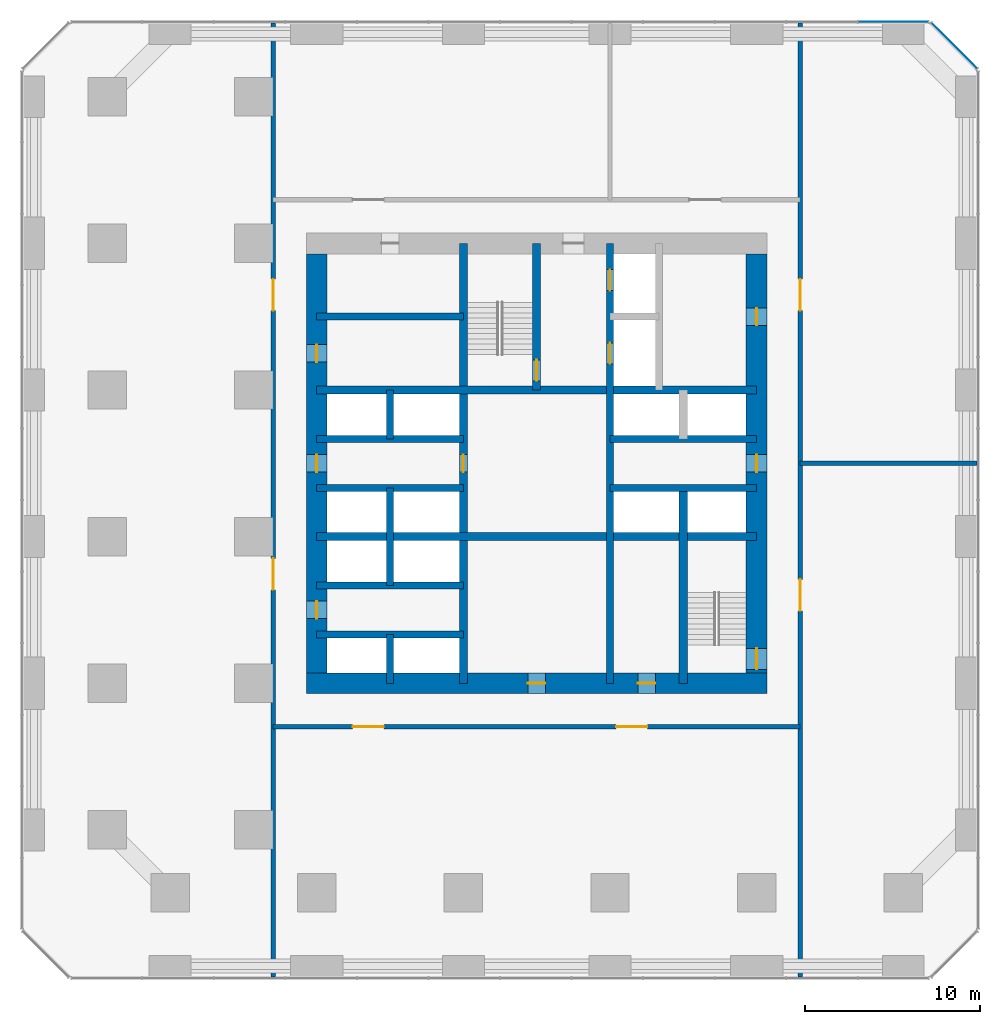
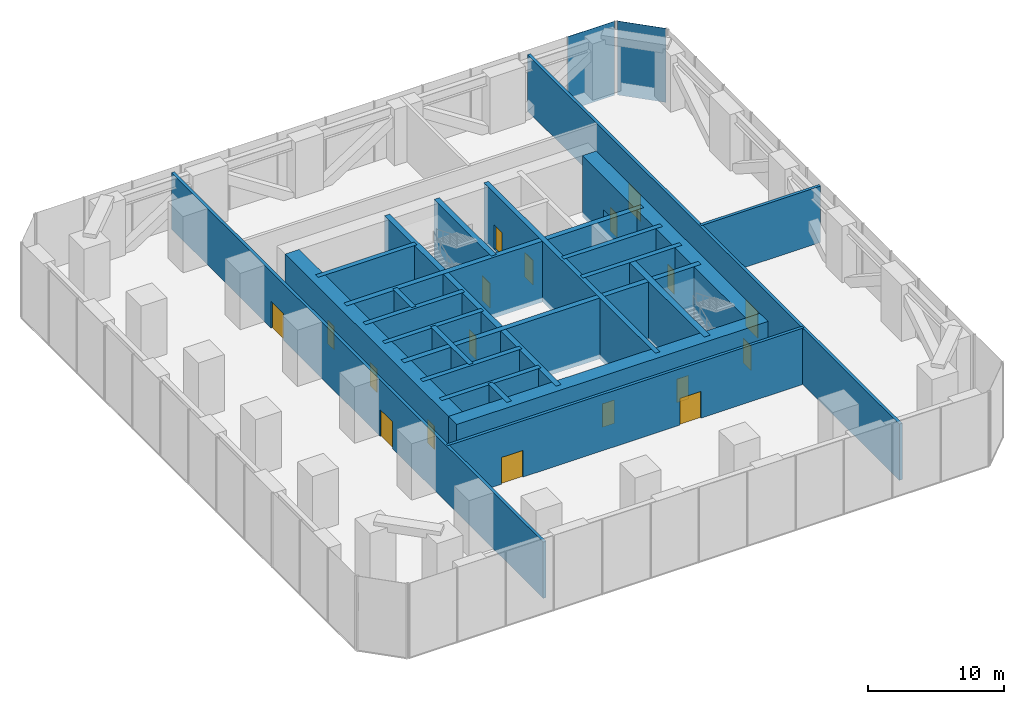
# One storey, part 8 of 10: 23 walls, 18 doors, 2 plates, 18 openings, 2 elements without a shape of their own.
"""IFC4 building model written with IfcOpenShell, lengths in metres."""

from ifc_helpers import new_model, si_unit, direction, frame, frame_2d, origin, origin_2d, place, context, subcontext, project, spatial, rectangle, extrude, material, layer, layer_set, type_object, element, fill, aggregate, save


model = new_model("IFC4")

# Units and contexts
model_context = context("Model", 3, precision=1e-05, world=origin(), true_north=direction((0.0, 1.0)))
body_context = subcontext(model_context, "Body", "Model", "MODEL_VIEW")
ifc_project = project(units=[si_unit("LENGTHUNIT", "METRE"), si_unit("AREAUNIT", "SQUARE_METRE"), si_unit("VOLUMEUNIT", "CUBIC_METRE"), si_unit("PLANEANGLEUNIT", "RADIAN"), si_unit("MASSUNIT", "GRAM", prefix="KILO")], contexts=[model_context])

# Site, building, storey
site_placement = place(None, origin())
site = spatial("IfcSite", under=ifc_project, at=site_placement, CompositionType="ELEMENT")
building_placement = place(site_placement, origin())
building = spatial("IfcBuilding", under=site, at=building_placement, Name="Dunama Terrace Hotel", CompositionType="ELEMENT")
storey_placement = place(building_placement, frame((0.0, 0.0, 153.60009765625)))
storey = spatial("IfcBuildingStorey", under=building, at=storey_placement, Name="L39", CompositionType="ELEMENT", Elevation=153.60009765625)

# Curtain wall, plate
ifc_material_1 = material(Name="Aluminium curtain wall system", Category="aluminium")
curtain_wall_type = type_object("IfcCurtainWallType", Name="Plant floor louvred glazing CW-G", PredefinedType="NOTDEFINED", material=ifc_material_1)
curtain_wall_1_placement = place(storey_placement, origin())
curtain_wall_1 = element("IfcCurtainWall", 1, at=curtain_wall_1_placement, inside=storey, type_object=curtain_wall_type, Name="Plant floor louvred glazing CW-G L39", PredefinedType="NOTDEFINED")
ifc_material_2 = material(Name="Aluminium louvre blades", Category="aluminium")
ifc_layer_1 = layer(ifc_material_2, 0.02392578125)
ifc_layer_set_1 = layer_set([ifc_layer_1], Name="CWG louvre panel")
plate_type = type_object("IfcPlateType", Name="CWG louvre panel", PredefinedType="CURTAIN_PANEL", material=ifc_layer_set_1)
plate_1_placement = place(storey_placement, frame((53.321044921875, 53.321044921875, -1.236328125), z_axis=(0.0, 0.0, 1.0), x_axis=(-0.707106781187, 0.707106781187, 0.0)))
plate_1 = element("IfcPlate", 2, at=plate_1_placement, type_object=plate_type, Name="CWG louvre panel", PredefinedType="CURTAIN_PANEL", context=body_context, shape_type="SweptSolid", body=[
    extrude(rectangle(XDim=3.66845703125, YDim=0.02392578125, at=origin_2d()), origin(), (0.0, 0.0, 1.0), 6.635986328125),
])
aggregate(curtain_wall_1, [plate_1])

curtain_wall_2_placement = place(storey_placement, origin())
curtain_wall_2 = element("IfcCurtainWall", 3, at=curtain_wall_2_placement, inside=storey, type_object=curtain_wall_type, Name="Plant floor louvred glazing CW-G L39", PredefinedType="NOTDEFINED")
plate_2_placement = place(storey_placement, frame((49.8310546875, 54.699951171875, -1.236328125), z_axis=(0.0, 0.0, 1.0), x_axis=(-1.0, 0.0, 0.0)))
plate_2 = element("IfcPlate", 4, at=plate_2_placement, type_object=plate_type, Name="CWG louvre panel", PredefinedType="CURTAIN_PANEL", context=body_context, shape_type="SweptSolid", body=[
    extrude(rectangle(XDim=3.987548828125, YDim=0.02392578125, at=origin_2d()), origin(), (0.0, 0.0, 1.0), 6.635986328125),
])
aggregate(curtain_wall_2, [plate_2])

# Walls
ifc_material_3 = material(Name="Concrete C50/60", Category="concrete")
ifc_layer_2 = layer(ifc_material_3, 0.39990234375)
ifc_layer_set_2 = layer_set([ifc_layer_2], Name="Core inner wall 400")
wall_type_1 = type_object("IfcWallType", Name="Core inner wall 400", PredefinedType="SHEAR", material=ifc_layer_set_2)
wall_1_placement = place(storey_placement, frame((21.0, 16.800048828125, -0.400146484375), z_axis=(0.0, 0.0, 1.0), x_axis=(0.0, 1.0, 0.0)))
element("IfcWall", 5, at=wall_1_placement, inside=storey, type_object=wall_type_1, Name="Core inner wall 400 L39", PredefinedType="SHEAR", context=body_context, shape_type="SweptSolid", body=[
    extrude(rectangle(XDim=2.800048828125, YDim=0.39990234375, at=frame_2d((1.39990234375, 0.0))), origin(), (0.0, 0.0, 1.0), 5.449951171875),
])
wall_2_placement = place(storey_placement, frame((21.0, 22.39990234375, -0.400146484375), z_axis=(0.0, 0.0, 1.0), x_axis=(0.0, 1.0, 0.0)))
element("IfcWall", 6, at=wall_2_placement, inside=storey, type_object=wall_type_1, Name="Core inner wall 400 L39", PredefinedType="SHEAR", context=body_context, shape_type="SweptSolid", body=[
    extrude(rectangle(XDim=5.60009765625, YDim=0.39990234375, at=frame_2d((2.800048828125, 0.0))), origin(), (0.0, 0.0, 1.0), 5.449951171875),
])
wall_3_placement = place(storey_placement, frame((21.0, 30.800048828125, -0.400146484375), z_axis=(0.0, 0.0, 1.0), x_axis=(0.0, 1.0, 0.0)))
element("IfcWall", 7, at=wall_3_placement, inside=storey, type_object=wall_type_1, Name="Core inner wall 400 L39", PredefinedType="SHEAR", context=body_context, shape_type="SweptSolid", body=[
    extrude(rectangle(XDim=2.800048828125, YDim=0.39990234375, at=frame_2d((1.39990234375, 0.0))), origin(), (0.0, 0.0, 1.0), 5.449951171875),
])

# Wall, openings, doors
wall_4_placement = place(storey_placement, frame((33.60009765625, 16.800048828125, -0.400146484375), z_axis=(0.0, 0.0, 1.0), x_axis=(0.0, 1.0, 0.0)))
wall_4 = element("IfcWall", 8, at=wall_4_placement, inside=storey, type_object=wall_type_1, Name="Core inner wall 400 L39", PredefinedType="SHEAR", context=body_context, shape_type="SweptSolid", body=[
    extrude(rectangle(XDim=25.199951171875, YDim=0.39990234375, at=frame_2d((12.60009765625, 0.0))), origin(), (0.0, 0.0, 1.0), 5.449951171875),
])
opening_1_placement = place(wall_4_placement, frame((22.5, 0.0, 0.39990234375)))
opening_1 = element("IfcOpeningElement", 9, at=opening_1_placement, cuts=wall_4, Name="Opening L39-003", PredefinedType="OPENING", context=body_context, shape_type="SweptSolid", body=[
    extrude(rectangle(XDim=1.199951171875, YDim=2.199951171875, at=frame_2d((0.60009765625, 1.10009765625))), frame((0.0, 0.2099609375, 0.0), z_axis=(0.0, -1.0, 0.0), x_axis=(1.0, 0.0, 0.0)), (0.0, 0.0, 1.0), 0.419921875),
])
opening_2_placement = place(wall_4_placement, frame((18.300048828125, 0.0, 0.39990234375)))
opening_2 = element("IfcOpeningElement", 10, at=opening_2_placement, cuts=wall_4, Name="Opening L39-004", PredefinedType="OPENING", context=body_context, shape_type="SweptSolid", body=[
    extrude(rectangle(XDim=1.199951171875, YDim=2.199951171875, at=frame_2d((0.60009765625, 1.10009765625))), frame((0.0, 0.2099609375, 0.0), z_axis=(0.0, -1.0, 0.0), x_axis=(1.0, 0.0, 0.0)), (0.0, 0.0, 1.0), 0.419921875),
])
ifc_material_4 = material(Name="Stainless steel lift door", Category="steel")
door_type_1 = type_object("IfcDoorType", Name="Firefighting lift landing door 1200", OperationType="DOUBLE_DOOR_SLIDING", PredefinedType="DOOR", material=ifc_material_4)
door_1_placement = place(opening_1_placement, origin())
door_1 = element("IfcDoor", 11, at=door_1_placement, inside=storey, type_object=door_type_1, Name="Landing door FL1 L39-003, type LD2", OperationType="DOUBLE_DOOR_SLIDING", OverallHeight=2.199951171875, OverallWidth=1.199951171875, PredefinedType="DOOR", context=body_context, shape_type="SweptSolid", body=[
    extrude(rectangle(XDim=1.199951171875, YDim=2.199951171875, at=frame_2d((0.60009765625, 1.10009765625))), frame((0.0, 0.02490234375, 0.0), z_axis=(0.0, -1.0, 0.0), x_axis=(1.0, 0.0, 0.0)), (0.0, 0.0, 1.0), 0.050048828125),
])
fill(opening_1, door_1)
door_2_placement = place(opening_2_placement, origin())
door_2 = element("IfcDoor", 12, at=door_2_placement, inside=storey, type_object=door_type_1, Name="Landing door FL2 L39-004, type LD2", OperationType="DOUBLE_DOOR_SLIDING", OverallHeight=2.199951171875, OverallWidth=1.199951171875, PredefinedType="DOOR", context=body_context, shape_type="SweptSolid", body=[
    extrude(rectangle(XDim=1.199951171875, YDim=2.199951171875, at=frame_2d((0.60009765625, 1.10009765625))), frame((0.0, 0.02490234375, 0.0), z_axis=(0.0, -1.0, 0.0), x_axis=(1.0, 0.0, 0.0)), (0.0, 0.0, 1.0), 0.050048828125),
])
fill(opening_2, door_2)

# Walls
for number, where, z_axis, x_axis, name in (
    (13, (16.800048828125, 19.60009765625, -0.400146484375), (0.0, 0.0, 1.0), (1.0, 0.0, 0.0), "Core inner wall 400 L39"),
    (14, (16.800048828125, 22.39990234375, -0.400146484375), (0.0, 0.0, 1.0), (1.0, 0.0, 0.0), "Core inner wall 400 L39"),
    (15, (16.800048828125, 28.0, -0.400146484375), (0.0, 0.0, 1.0), (1.0, 0.0, 0.0), "Core inner wall 400 L39"),
    (16, (33.60009765625, 28.0, -0.400146484375), (0.0, 0.0, 1.0), (1.0, 0.0, 0.0), "Core inner wall 400 L39"),
    (17, (16.800048828125, 30.800048828125, -0.400146484375), (0.0, 0.0, 1.0), (1.0, 0.0, 0.0), "Core inner wall 400 L39"),
    (18, (33.60009765625, 30.800048828125, -0.400146484375), (0.0, 0.0, 1.0), (1.0, 0.0, 0.0), "Core inner wall 400 L39"),
    (19, (16.800048828125, 37.800048828125, -0.400146484375), (0.0, 0.0, 1.0), (1.0, 0.0, 0.0), "Core inner wall 400 L39"),
):
    element("IfcWall", number, at=place(storey_placement, frame(where, z_axis=z_axis, x_axis=x_axis)), inside=storey, type_object=wall_type_1, Name=name, PredefinedType="SHEAR", context=body_context, shape_type="SweptSolid", body=[
        extrude(rectangle(XDim=8.39990234375, YDim=0.39990234375, at=frame_2d((4.199951171875, 0.0))), origin(), (0.0, 0.0, 1.0), 5.449951171875),
    ])

# Wall, opening, door
ifc_material_5 = material(Name="Concrete C50/60", Category="concrete")
ifc_layer_3 = layer(ifc_material_5, 0.449951171875)
ifc_layer_set_3 = layer_set([ifc_layer_3], Name="Core inner wall 450")
wall_type_2 = type_object("IfcWallType", Name="Core inner wall 450", PredefinedType="SHEAR", material=ifc_layer_set_3)
wall_5_placement = place(storey_placement, frame((25.199951171875, 16.800048828125, -0.400146484375), z_axis=(0.0, 0.0, 1.0), x_axis=(0.0, 1.0, 0.0)))
wall_5 = element("IfcWall", 20, at=wall_5_placement, inside=storey, type_object=wall_type_2, Name="Core inner wall 450 L39", PredefinedType="SHEAR", context=body_context, shape_type="SweptSolid", body=[
    extrude(rectangle(XDim=25.199951171875, YDim=0.449951171875, at=frame_2d((12.60009765625, 0.0))), origin(), (0.0, 0.0, 1.0), 5.449951171875),
])
opening_3_placement = place(wall_5_placement, frame((12.10009765625, 0.0, 0.39990234375)))
opening_3 = element("IfcOpeningElement", 21, at=opening_3_placement, cuts=wall_5, Name="Opening L39-017", PredefinedType="OPENING", context=body_context, shape_type="SweptSolid", body=[
    extrude(rectangle(XDim=1.0, YDim=2.10009765625, at=frame_2d((0.5, 1.050048828125))), frame((0.0, 0.23486328125, 0.0), z_axis=(0.0, -1.0, 0.0), x_axis=(1.0, 0.0, 0.0)), (0.0, 0.0, 1.0), 0.469970703125),
])
ifc_material_6 = material(Name="Timber door with steel frame", Category="steel")
door_type_2 = type_object("IfcDoorType", Name="Service door 1000", OperationType="SINGLE_SWING_LEFT", PredefinedType="DOOR", material=ifc_material_6)
door_3_placement = place(opening_3_placement, frame((1.0, 0.0, 0.0), z_axis=(0.0, 0.0, 1.0), x_axis=(-1.0, 0.0, 0.0)))
door_3 = element("IfcDoor", 22, at=door_3_placement, inside=storey, type_object=door_type_2, Name="Door to electrical spares store L39-017, type D7", OperationType="SINGLE_SWING_RIGHT", OverallHeight=2.10009765625, OverallWidth=1.0, PredefinedType="DOOR", context=body_context, shape_type="SweptSolid", body=[
    extrude(rectangle(XDim=1.0, YDim=2.10009765625, at=frame_2d((0.5, 1.050048828125))), frame((0.0, 0.025146484375, 0.0), z_axis=(0.0, -1.0, 0.0), x_axis=(1.0, 0.0, 0.0)), (0.0, 0.0, 1.0), 0.050048828125),
])
fill(opening_3, door_3)

wall_6_placement = place(storey_placement, frame((29.39990234375, 33.60009765625, -0.400146484375), z_axis=(0.0, 0.0, 1.0), x_axis=(0.0, 1.0, 0.0)))
wall_6 = element("IfcWall", 23, at=wall_6_placement, inside=storey, type_object=wall_type_2, Name="Core inner wall 450 L39", PredefinedType="SHEAR", context=body_context, shape_type="SweptSolid", body=[
    extrude(rectangle(XDim=8.39990234375, YDim=0.449951171875, at=frame_2d((4.199951171875, 0.0))), origin(), (0.0, 0.0, 1.0), 5.449951171875),
])
opening_4_placement = place(wall_6_placement, frame((0.52490234375, 0.0, 0.39990234375)))
opening_4 = element("IfcOpeningElement", 24, at=opening_4_placement, cuts=wall_6, Name="Opening L39-001", PredefinedType="OPENING", context=body_context, shape_type="SweptSolid", body=[
    extrude(rectangle(XDim=1.199951171875, YDim=2.199951171875, at=frame_2d((0.60009765625, 1.10009765625))), frame((0.0, 0.23486328125, 0.0), z_axis=(0.0, -1.0, 0.0), x_axis=(1.0, 0.0, 0.0)), (0.0, 0.0, 1.0), 0.469970703125),
])
ifc_material_7 = material(Name="Timber door with steel frame", Category="steel")
door_type_3 = type_object("IfcDoorType", Name="Stair door 1200", OperationType="SINGLE_SWING_LEFT", PredefinedType="DOOR", material=ifc_material_7)
door_4_placement = place(opening_4_placement, origin())
door_4 = element("IfcDoor", 25, at=door_4_placement, inside=storey, type_object=door_type_3, Name="Stair door ST1 L39-001, type D5", OperationType="SINGLE_SWING_LEFT", OverallHeight=2.199951171875, OverallWidth=1.199951171875, PredefinedType="DOOR", context=body_context, shape_type="SweptSolid", body=[
    extrude(rectangle(XDim=1.199951171875, YDim=2.199951171875, at=frame_2d((0.60009765625, 1.10009765625))), frame((0.0, 0.02490234375, 0.0), z_axis=(0.0, -1.0, 0.0), x_axis=(1.0, 0.0, 0.0)), (0.0, 0.0, 1.0), 0.050048828125),
])
fill(opening_4, door_4)

# Walls
for number, where, z_axis, x_axis, name in (
    (26, (16.800048828125, 25.199951171875, -0.400146484375), (0.0, 0.0, 1.0), (1.0, 0.0, 0.0), "Core inner wall 450 L39"),
    (27, (16.800048828125, 33.60009765625, -0.400146484375), (0.0, 0.0, 1.0), (1.0, 0.0, 0.0), "Core inner wall 450 L39"),
):
    element("IfcWall", number, at=place(storey_placement, frame(where, z_axis=z_axis, x_axis=x_axis)), inside=storey, type_object=wall_type_2, Name=name, PredefinedType="SHEAR", context=body_context, shape_type="SweptSolid", body=[
        extrude(rectangle(XDim=25.199951171875, YDim=0.449951171875, at=frame_2d((12.60009765625, 0.0))), origin(), (0.0, 0.0, 1.0), 5.449951171875),
    ])
ifc_material_8 = material(Name="Concrete C50/60", Category="concrete")
ifc_layer_4 = layer(ifc_material_8, 0.5)
ifc_layer_set_4 = layer_set([ifc_layer_4], Name="Core inner wall 500")
wall_type_3 = type_object("IfcWallType", Name="Core inner wall 500", PredefinedType="SHEAR", material=ifc_layer_set_4)
wall_7_placement = place(storey_placement, frame((37.800048828125, 16.800048828125, -0.400146484375), z_axis=(0.0, 0.0, 1.0), x_axis=(0.0, 1.0, 0.0)))
element("IfcWall", 28, at=wall_7_placement, inside=storey, type_object=wall_type_3, Name="Core inner wall 500 L39", PredefinedType="SHEAR", context=body_context, shape_type="SweptSolid", body=[
    extrude(rectangle(XDim=11.199951171875, YDim=0.5, at=frame_2d((5.60009765625, 0.0))), origin(), (0.0, 0.0, 1.0), 5.449951171875),
])

# Wall, openings, doors
ifc_material_9 = material(Name="Concrete C60/75", Category="concrete")
ifc_layer_5 = layer(ifc_material_9, 1.199951171875)
ifc_layer_set_5 = layer_set([ifc_layer_5], Name="Core wall 1200")
wall_type_4 = type_object("IfcWallType", Name="Core wall 1200", PredefinedType="SHEAR", material=ifc_layer_set_5)
wall_8_placement = place(storey_placement, frame((16.199951171875, 16.800048828125, -0.400146484375), z_axis=(0.0, 0.0, 1.0), x_axis=(1.0, 0.0, 0.0)))
wall_8 = element("IfcWall", 29, at=wall_8_placement, inside=storey, type_object=wall_type_4, Name="Core wall south L39", PredefinedType="SHEAR", context=body_context, shape_type="SweptSolid", body=[
    extrude(rectangle(XDim=26.400146484375, YDim=1.199951171875, at=frame_2d((13.2001953125, 0.0))), origin(), (0.0, 0.0, 1.0), 5.449951171875),
])
opening_5_placement = place(wall_8_placement, frame((12.699951171875, 0.0, 0.39990234375)))
opening_5 = element("IfcOpeningElement", 30, at=opening_5_placement, cuts=wall_8, Name="Opening L39-021", PredefinedType="OPENING", context=body_context, shape_type="SweptSolid", body=[
    extrude(rectangle(XDim=1.0, YDim=2.10009765625, at=frame_2d((0.5, 1.050048828125))), frame((0.0, 0.60986328125, 0.0), z_axis=(0.0, -1.0, 0.0), x_axis=(1.0, 0.0, 0.0)), (0.0, 0.0, 1.0), 1.219970703125),
])
opening_6_placement = place(wall_8_placement, frame((19.0, 0.0, 0.39990234375)))
opening_6 = element("IfcOpeningElement", 31, at=opening_6_placement, cuts=wall_8, Name="Opening L39-022", PredefinedType="OPENING", context=body_context, shape_type="SweptSolid", body=[
    extrude(rectangle(XDim=1.0, YDim=2.10009765625, at=frame_2d((0.5, 1.050048828125))), frame((0.0, 0.60986328125, 0.0), z_axis=(0.0, -1.0, 0.0), x_axis=(1.0, 0.0, 0.0)), (0.0, 0.0, 1.0), 1.219970703125),
])
door_5_placement = place(opening_5_placement, origin())
door_5 = element("IfcDoor", 32, at=door_5_placement, inside=storey, type_object=door_type_2, Name="Door to corridor air handling plant room L39-021, type D7", OperationType="SINGLE_SWING_LEFT", OverallHeight=2.10009765625, OverallWidth=1.0, PredefinedType="DOOR", context=body_context, shape_type="SweptSolid", body=[
    extrude(rectangle(XDim=1.0, YDim=2.10009765625, at=frame_2d((0.5, 1.050048828125))), frame((0.0, 0.02490234375, 0.0), z_axis=(0.0, -1.0, 0.0), x_axis=(1.0, 0.0, 0.0)), (0.0, 0.0, 1.0), 0.050048828125),
])
fill(opening_5, door_5)
door_6_placement = place(opening_6_placement, origin())
door_6 = element("IfcDoor", 33, at=door_6_placement, inside=storey, type_object=door_type_2, Name="Door to water booster plant room L39-022, type D7", OperationType="SINGLE_SWING_RIGHT", OverallHeight=2.10009765625, OverallWidth=1.0, PredefinedType="DOOR", context=body_context, shape_type="SweptSolid", body=[
    extrude(rectangle(XDim=1.0, YDim=2.10009765625, at=frame_2d((0.5, 1.050048828125))), frame((0.0, 0.02490234375, 0.0), z_axis=(0.0, -1.0, 0.0), x_axis=(1.0, 0.0, 0.0)), (0.0, 0.0, 1.0), 0.050048828125),
])
fill(opening_6, door_6)

wall_9_placement = place(storey_placement, frame((42.0, 17.39990234375, -0.400146484375), z_axis=(0.0, 0.0, 1.0), x_axis=(0.0, 1.0, 0.0)))
wall_9 = element("IfcWall", 34, at=wall_9_placement, inside=storey, type_object=wall_type_4, Name="Core wall east L39", PredefinedType="SHEAR", context=body_context, shape_type="SweptSolid", body=[
    extrude(rectangle(XDim=24.0, YDim=1.199951171875, at=frame_2d((12.0, 0.0))), origin(), (0.0, 0.0, 1.0), 5.449951171875),
])
opening_7_placement = place(wall_9_placement, frame((0.199951171875, 0.0, 0.39990234375)))
opening_7 = element("IfcOpeningElement", 35, at=opening_7_placement, cuts=wall_9, Name="Opening L39-002", PredefinedType="OPENING", context=body_context, shape_type="SweptSolid", body=[
    extrude(rectangle(XDim=1.199951171875, YDim=2.199951171875, at=frame_2d((0.60009765625, 1.10009765625))), frame((0.0, 0.60986328125, 0.0), z_axis=(0.0, -1.0, 0.0), x_axis=(1.0, 0.0, 0.0)), (0.0, 0.0, 1.0), 1.219970703125),
])
opening_8_placement = place(wall_9_placement, frame((11.5, 0.0, 0.39990234375)))
opening_8 = element("IfcOpeningElement", 36, at=opening_8_placement, cuts=wall_9, Name="Opening L39-018", PredefinedType="OPENING", context=body_context, shape_type="SweptSolid", body=[
    extrude(rectangle(XDim=1.0, YDim=2.10009765625, at=frame_2d((0.5, 1.050048828125))), frame((0.0, 0.60986328125, 0.0), z_axis=(0.0, -1.0, 0.0), x_axis=(1.0, 0.0, 0.0)), (0.0, 0.0, 1.0), 1.219970703125),
])
opening_9_placement = place(wall_9_placement, frame((19.89990234375, 0.0, 0.39990234375)))
opening_9 = element("IfcOpeningElement", 37, at=opening_9_placement, cuts=wall_9, Name="Opening L39-020", PredefinedType="OPENING", context=body_context, shape_type="SweptSolid", body=[
    extrude(rectangle(XDim=1.0, YDim=2.10009765625, at=frame_2d((0.5, 1.050048828125))), frame((0.0, 0.60986328125, 0.0), z_axis=(0.0, -1.0, 0.0), x_axis=(1.0, 0.0, 0.0)), (0.0, 0.0, 1.0), 1.219970703125),
])
door_7_placement = place(opening_8_placement, origin())
door_7 = element("IfcDoor", 38, at=door_7_placement, inside=storey, type_object=door_type_2, Name="Door to service lobby L39-018, type D7", OperationType="SINGLE_SWING_LEFT", OverallHeight=2.10009765625, OverallWidth=1.0, PredefinedType="DOOR", context=body_context, shape_type="SweptSolid", body=[
    extrude(rectangle(XDim=1.0, YDim=2.10009765625, at=frame_2d((0.5, 1.050048828125))), frame((0.0, 0.02490234375, 0.0), z_axis=(0.0, -1.0, 0.0), x_axis=(1.0, 0.0, 0.0)), (0.0, 0.0, 1.0), 0.050048828125),
])
fill(opening_8, door_7)
door_8_placement = place(opening_9_placement, origin())
door_8 = element("IfcDoor", 39, at=door_8_placement, inside=storey, type_object=door_type_2, Name="Door to plant spares store L39-020, type D7", OperationType="SINGLE_SWING_LEFT", OverallHeight=2.10009765625, OverallWidth=1.0, PredefinedType="DOOR", context=body_context, shape_type="SweptSolid", body=[
    extrude(rectangle(XDim=1.0, YDim=2.10009765625, at=frame_2d((0.5, 1.050048828125))), frame((0.0, 0.02490234375, 0.0), z_axis=(0.0, -1.0, 0.0), x_axis=(1.0, 0.0, 0.0)), (0.0, 0.0, 1.0), 0.050048828125),
])
fill(opening_9, door_8)
door_9_placement = place(opening_7_placement, origin())
door_9 = element("IfcDoor", 40, at=door_9_placement, inside=storey, type_object=door_type_3, Name="Stair door ST2 L39-002, type D5", OperationType="SINGLE_SWING_LEFT", OverallHeight=2.199951171875, OverallWidth=1.199951171875, PredefinedType="DOOR", context=body_context, shape_type="SweptSolid", body=[
    extrude(rectangle(XDim=1.199951171875, YDim=2.199951171875, at=frame_2d((0.60009765625, 1.10009765625))), frame((0.0, 0.02490234375, 0.0), z_axis=(0.0, -1.0, 0.0), x_axis=(1.0, 0.0, 0.0)), (0.0, 0.0, 1.0), 0.050048828125),
])
fill(opening_7, door_9)

wall_10_placement = place(storey_placement, frame((16.800048828125, 41.39990234375, -0.400146484375), z_axis=(0.0, 0.0, 1.0), x_axis=(0.0, -1.0, 0.0)))
wall_10 = element("IfcWall", 41, at=wall_10_placement, inside=storey, type_object=wall_type_4, Name="Core wall west L39", PredefinedType="SHEAR", context=body_context, shape_type="SweptSolid", body=[
    extrude(rectangle(XDim=24.0, YDim=1.199951171875, at=frame_2d((12.0, 0.0))), origin(), (0.0, 0.0, 1.0), 5.449951171875),
])
opening_10_placement = place(wall_10_placement, frame((11.5, 0.0, 0.39990234375)))
opening_10 = element("IfcOpeningElement", 42, at=opening_10_placement, cuts=wall_10, Name="Opening L39-013", PredefinedType="OPENING", context=body_context, shape_type="SweptSolid", body=[
    extrude(rectangle(XDim=1.0, YDim=2.10009765625, at=frame_2d((0.5, 1.050048828125))), frame((0.0, 0.60986328125, 0.0), z_axis=(0.0, -1.0, 0.0), x_axis=(1.0, 0.0, 0.0)), (0.0, 0.0, 1.0), 1.219970703125),
])
opening_11_placement = place(wall_10_placement, frame((19.89990234375, 0.0, 0.39990234375)))
opening_11 = element("IfcOpeningElement", 43, at=opening_11_placement, cuts=wall_10, Name="Opening L39-014", PredefinedType="OPENING", context=body_context, shape_type="SweptSolid", body=[
    extrude(rectangle(XDim=1.0, YDim=2.10009765625, at=frame_2d((0.5, 1.050048828125))), frame((0.0, 0.60986328125, 0.0), z_axis=(0.0, -1.0, 0.0), x_axis=(1.0, 0.0, 0.0)), (0.0, 0.0, 1.0), 1.219970703125),
])
opening_12_placement = place(wall_10_placement, frame((5.199951171875, 0.0, 0.39990234375)))
opening_12 = element("IfcOpeningElement", 44, at=opening_12_placement, cuts=wall_10, Name="Opening L39-015", PredefinedType="OPENING", context=body_context, shape_type="SweptSolid", body=[
    extrude(rectangle(XDim=1.0, YDim=2.10009765625, at=frame_2d((0.5, 1.050048828125))), frame((0.0, 0.60986328125, 0.0), z_axis=(0.0, -1.0, 0.0), x_axis=(1.0, 0.0, 0.0)), (0.0, 0.0, 1.0), 1.219970703125),
])
door_10_placement = place(opening_10_placement, origin())
door_10 = element("IfcDoor", 45, at=door_10_placement, inside=storey, type_object=door_type_2, Name="Door to service lobby L39-013, type D7", OperationType="SINGLE_SWING_RIGHT", OverallHeight=2.10009765625, OverallWidth=1.0, PredefinedType="DOOR", context=body_context, shape_type="SweptSolid", body=[
    extrude(rectangle(XDim=1.0, YDim=2.10009765625, at=frame_2d((0.5, 1.050048828125))), frame((0.0, 0.02490234375, 0.0), z_axis=(0.0, -1.0, 0.0), x_axis=(1.0, 0.0, 0.0)), (0.0, 0.0, 1.0), 0.050048828125),
])
fill(opening_10, door_10)
door_11_placement = place(opening_11_placement, origin())
door_11 = element("IfcDoor", 46, at=door_11_placement, inside=storey, type_object=door_type_2, Name="Door to service lobby L39-014, type D7", OperationType="SINGLE_SWING_LEFT", OverallHeight=2.10009765625, OverallWidth=1.0, PredefinedType="DOOR", context=body_context, shape_type="SweptSolid", body=[
    extrude(rectangle(XDim=1.0, YDim=2.10009765625, at=frame_2d((0.5, 1.050048828125))), frame((0.0, 0.02490234375, 0.0), z_axis=(0.0, -1.0, 0.0), x_axis=(1.0, 0.0, 0.0)), (0.0, 0.0, 1.0), 0.050048828125),
])
fill(opening_11, door_11)
door_12_placement = place(opening_12_placement, origin())
door_12 = element("IfcDoor", 47, at=door_12_placement, inside=storey, type_object=door_type_2, Name="Door to electrical plant room L39-015, type D7", OperationType="SINGLE_SWING_RIGHT", OverallHeight=2.10009765625, OverallWidth=1.0, PredefinedType="DOOR", context=body_context, shape_type="SweptSolid", body=[
    extrude(rectangle(XDim=1.0, YDim=2.10009765625, at=frame_2d((0.5, 1.050048828125))), frame((0.0, 0.02490234375, 0.0), z_axis=(0.0, -1.0, 0.0), x_axis=(1.0, 0.0, 0.0)), (0.0, 0.0, 1.0), 0.050048828125),
])
fill(opening_12, door_12)

ifc_material_10 = material(Name="Concrete blockwork", Category="masonry")
ifc_layer_6 = layer(ifc_material_10, 0.25)
ifc_layer_set_6 = layer_set([ifc_layer_6], Name="Plant room wall 250")
wall_type_5 = type_object("IfcWallType", Name="Plant room wall 250", PredefinedType="PARTITIONING", material=ifc_layer_set_6)
wall_11_placement = place(storey_placement, frame((14.300048828125, -0.01806640625, 0.0), z_axis=(0.0, 0.0, 1.0), x_axis=(0.0, 1.0, 0.0)))
wall_11 = element("IfcWall", 48, at=wall_11_placement, inside=storey, type_object=wall_type_5, Name="Plant room wall 250 L39", PredefinedType="PARTITIONING", context=body_context, shape_type="SweptSolid", body=[
    extrude(rectangle(XDim=54.635986328125, YDim=0.25, at=frame_2d((27.31787109375, 0.0))), origin(), (0.0, 0.0, 1.0), 5.0498046875),
])
opening_13_placement = place(wall_11_placement, frame((22.16796875, 0.0, 0.0)))
opening_13 = element("IfcOpeningElement", 49, at=opening_13_placement, cuts=wall_11, Name="Opening L39-005", PredefinedType="OPENING", context=body_context, shape_type="SweptSolid", body=[
    extrude(rectangle(XDim=1.800048828125, YDim=2.39990234375, at=frame_2d((0.89990234375, 1.199951171875))), frame((0.0, 0.135009765625, 0.0), z_axis=(0.0, -1.0, 0.0), x_axis=(1.0, 0.0, 0.0)), (0.0, 0.0, 1.0), 0.27001953125),
])
opening_14_placement = place(wall_11_placement, frame((38.16796875, 0.0, 0.0)))
opening_14 = element("IfcOpeningElement", 50, at=opening_14_placement, cuts=wall_11, Name="Opening L39-006", PredefinedType="OPENING", context=body_context, shape_type="SweptSolid", body=[
    extrude(rectangle(XDim=1.800048828125, YDim=2.39990234375, at=frame_2d((0.89990234375, 1.199951171875))), frame((0.0, 0.135009765625, 0.0), z_axis=(0.0, -1.0, 0.0), x_axis=(1.0, 0.0, 0.0)), (0.0, 0.0, 1.0), 0.27001953125),
])
ifc_material_11 = material(Name="Timber door with steel frame", Category="steel")
door_type_4 = type_object("IfcDoorType", Name="Plant room double door 1800", OperationType="DOUBLE_DOOR_DOUBLE_SWING", PredefinedType="DOOR", material=ifc_material_11)
door_13_placement = place(opening_13_placement, origin())
door_13 = element("IfcDoor", 51, at=door_13_placement, inside=storey, type_object=door_type_4, Name="Door to refuge area west L39-005, type D9", OperationType="DOUBLE_DOOR_DOUBLE_SWING", OverallHeight=2.39990234375, OverallWidth=1.800048828125, PredefinedType="DOOR", context=body_context, shape_type="SweptSolid", body=[
    extrude(rectangle(XDim=1.800048828125, YDim=2.39990234375, at=frame_2d((0.89990234375, 1.199951171875))), frame((0.0, 0.02490234375, 0.0), z_axis=(0.0, -1.0, 0.0), x_axis=(1.0, 0.0, 0.0)), (0.0, 0.0, 1.0), 0.050048828125),
])
fill(opening_13, door_13)
door_14_placement = place(opening_14_placement, origin())
door_14 = element("IfcDoor", 52, at=door_14_placement, inside=storey, type_object=door_type_4, Name="Door to refuge area west L39-006, type D9", OperationType="DOUBLE_DOOR_DOUBLE_SWING", OverallHeight=2.39990234375, OverallWidth=1.800048828125, PredefinedType="DOOR", context=body_context, shape_type="SweptSolid", body=[
    extrude(rectangle(XDim=1.800048828125, YDim=2.39990234375, at=frame_2d((0.89990234375, 1.199951171875))), frame((0.0, 0.02490234375, 0.0), z_axis=(0.0, -1.0, 0.0), x_axis=(1.0, 0.0, 0.0)), (0.0, 0.0, 1.0), 0.050048828125),
])
fill(opening_14, door_14)

wall_12_placement = place(storey_placement, frame((44.5, -0.01806640625, 0.0), z_axis=(0.0, 0.0, 1.0), x_axis=(0.0, 1.0, 0.0)))
wall_12 = element("IfcWall", 53, at=wall_12_placement, inside=storey, type_object=wall_type_5, Name="Plant room wall 250 L39", PredefinedType="PARTITIONING", context=body_context, shape_type="SweptSolid", body=[
    extrude(rectangle(XDim=54.635986328125, YDim=0.25, at=frame_2d((27.31787109375, 0.0))), origin(), (0.0, 0.0, 1.0), 5.0498046875),
])
opening_15_placement = place(wall_12_placement, frame((20.968017578125, 0.0, 0.0)))
opening_15 = element("IfcOpeningElement", 54, at=opening_15_placement, cuts=wall_12, Name="Opening L39-009", PredefinedType="OPENING", context=body_context, shape_type="SweptSolid", body=[
    extrude(rectangle(XDim=1.800048828125, YDim=2.39990234375, at=frame_2d((0.89990234375, 1.199951171875))), frame((0.0, 0.135009765625, 0.0), z_axis=(0.0, -1.0, 0.0), x_axis=(1.0, 0.0, 0.0)), (0.0, 0.0, 1.0), 0.27001953125),
])
opening_16_placement = place(wall_12_placement, frame((38.16796875, 0.0, 0.0)))
opening_16 = element("IfcOpeningElement", 55, at=opening_16_placement, cuts=wall_12, Name="Opening L39-010", PredefinedType="OPENING", context=body_context, shape_type="SweptSolid", body=[
    extrude(rectangle(XDim=1.800048828125, YDim=2.39990234375, at=frame_2d((0.89990234375, 1.199951171875))), frame((0.0, 0.135009765625, 0.0), z_axis=(0.0, -1.0, 0.0), x_axis=(1.0, 0.0, 0.0)), (0.0, 0.0, 1.0), 0.27001953125),
])
door_15_placement = place(opening_15_placement, origin())
door_15 = element("IfcDoor", 56, at=door_15_placement, inside=storey, type_object=door_type_4, Name="Door to domestic water tank room L39-009, type D9", OperationType="DOUBLE_DOOR_DOUBLE_SWING", OverallHeight=2.39990234375, OverallWidth=1.800048828125, PredefinedType="DOOR", context=body_context, shape_type="SweptSolid", body=[
    extrude(rectangle(XDim=1.800048828125, YDim=2.39990234375, at=frame_2d((0.89990234375, 1.199951171875))), frame((0.0, 0.02490234375, 0.0), z_axis=(0.0, -1.0, 0.0), x_axis=(1.0, 0.0, 0.0)), (0.0, 0.0, 1.0), 0.050048828125),
])
fill(opening_15, door_15)
door_16_placement = place(opening_16_placement, origin())
door_16 = element("IfcDoor", 57, at=door_16_placement, inside=storey, type_object=door_type_4, Name="Door to cold water transfer pump room L39-010, type D9", OperationType="DOUBLE_DOOR_DOUBLE_SWING", OverallHeight=2.39990234375, OverallWidth=1.800048828125, PredefinedType="DOOR", context=body_context, shape_type="SweptSolid", body=[
    extrude(rectangle(XDim=1.800048828125, YDim=2.39990234375, at=frame_2d((0.89990234375, 1.199951171875))), frame((0.0, 0.02490234375, 0.0), z_axis=(0.0, -1.0, 0.0), x_axis=(1.0, 0.0, 0.0)), (0.0, 0.0, 1.0), 0.050048828125),
])
fill(opening_16, door_16)

wall_13_placement = place(storey_placement, frame((14.300048828125, 14.300048828125, 0.0), z_axis=(0.0, 0.0, 1.0), x_axis=(1.0, 0.0, 0.0)))
wall_13 = element("IfcWall", 58, at=wall_13_placement, inside=storey, type_object=wall_type_5, Name="Plant room wall 250 L39", PredefinedType="PARTITIONING", context=body_context, shape_type="SweptSolid", body=[
    extrude(rectangle(XDim=30.199951171875, YDim=0.25, at=frame_2d((15.10009765625, 0.0))), origin(), (0.0, 0.0, 1.0), 5.0498046875),
])
opening_17_placement = place(wall_13_placement, frame((19.64990234375, 0.0, 0.0)))
opening_17 = element("IfcOpeningElement", 59, at=opening_17_placement, cuts=wall_13, Name="Opening L39-007", PredefinedType="OPENING", context=body_context, shape_type="SweptSolid", body=[
    extrude(rectangle(XDim=1.800048828125, YDim=2.39990234375, at=frame_2d((0.89990234375, 1.199951171875))), frame((0.0, 0.135009765625, 0.0), z_axis=(0.0, -1.0, 0.0), x_axis=(1.0, 0.0, 0.0)), (0.0, 0.0, 1.0), 0.27001953125),
])
opening_18_placement = place(wall_13_placement, frame((4.550048828125, 0.0, 0.0)))
opening_18 = element("IfcOpeningElement", 60, at=opening_18_placement, cuts=wall_13, Name="Opening L39-008", PredefinedType="OPENING", context=body_context, shape_type="SweptSolid", body=[
    extrude(rectangle(XDim=1.800048828125, YDim=2.39990234375, at=frame_2d((0.89990234375, 1.199951171875))), frame((0.0, 0.135009765625, 0.0), z_axis=(0.0, -1.0, 0.0), x_axis=(1.0, 0.0, 0.0)), (0.0, 0.0, 1.0), 0.27001953125),
])
door_17_placement = place(opening_17_placement, origin())
door_17 = element("IfcDoor", 61, at=door_17_placement, inside=storey, type_object=door_type_4, Name="Door to refuge area south L39-007, type D9", OperationType="DOUBLE_DOOR_DOUBLE_SWING", OverallHeight=2.39990234375, OverallWidth=1.800048828125, PredefinedType="DOOR", context=body_context, shape_type="SweptSolid", body=[
    extrude(rectangle(XDim=1.800048828125, YDim=2.39990234375, at=frame_2d((0.89990234375, 1.199951171875))), frame((0.0, 0.02490234375, 0.0), z_axis=(0.0, -1.0, 0.0), x_axis=(1.0, 0.0, 0.0)), (0.0, 0.0, 1.0), 0.050048828125),
])
fill(opening_17, door_17)
door_18_placement = place(opening_18_placement, origin())
door_18 = element("IfcDoor", 62, at=door_18_placement, inside=storey, type_object=door_type_4, Name="Door to refuge area south L39-008, type D9", OperationType="DOUBLE_DOOR_DOUBLE_SWING", OverallHeight=2.39990234375, OverallWidth=1.800048828125, PredefinedType="DOOR", context=body_context, shape_type="SweptSolid", body=[
    extrude(rectangle(XDim=1.800048828125, YDim=2.39990234375, at=frame_2d((0.89990234375, 1.199951171875))), frame((0.0, 0.02490234375, 0.0), z_axis=(0.0, -1.0, 0.0), x_axis=(1.0, 0.0, 0.0)), (0.0, 0.0, 1.0), 0.050048828125),
])
fill(opening_18, door_18)

# Wall
wall_14_placement = place(storey_placement, frame((44.5, 29.39990234375, 0.0), z_axis=(0.0, 0.0, 1.0), x_axis=(1.0, 0.0, 0.0)))
element("IfcWall", 63, at=wall_14_placement, inside=storey, type_object=wall_type_5, Name="Plant room wall 250 L39", PredefinedType="PARTITIONING", context=body_context, shape_type="SweptSolid", body=[
    extrude(rectangle(XDim=10.117919921875, YDim=0.25, at=frame_2d((5.05908203125, 0.0))), origin(), (0.0, 0.0, 1.0), 5.0498046875),
])

save(model, "model.ifc")
